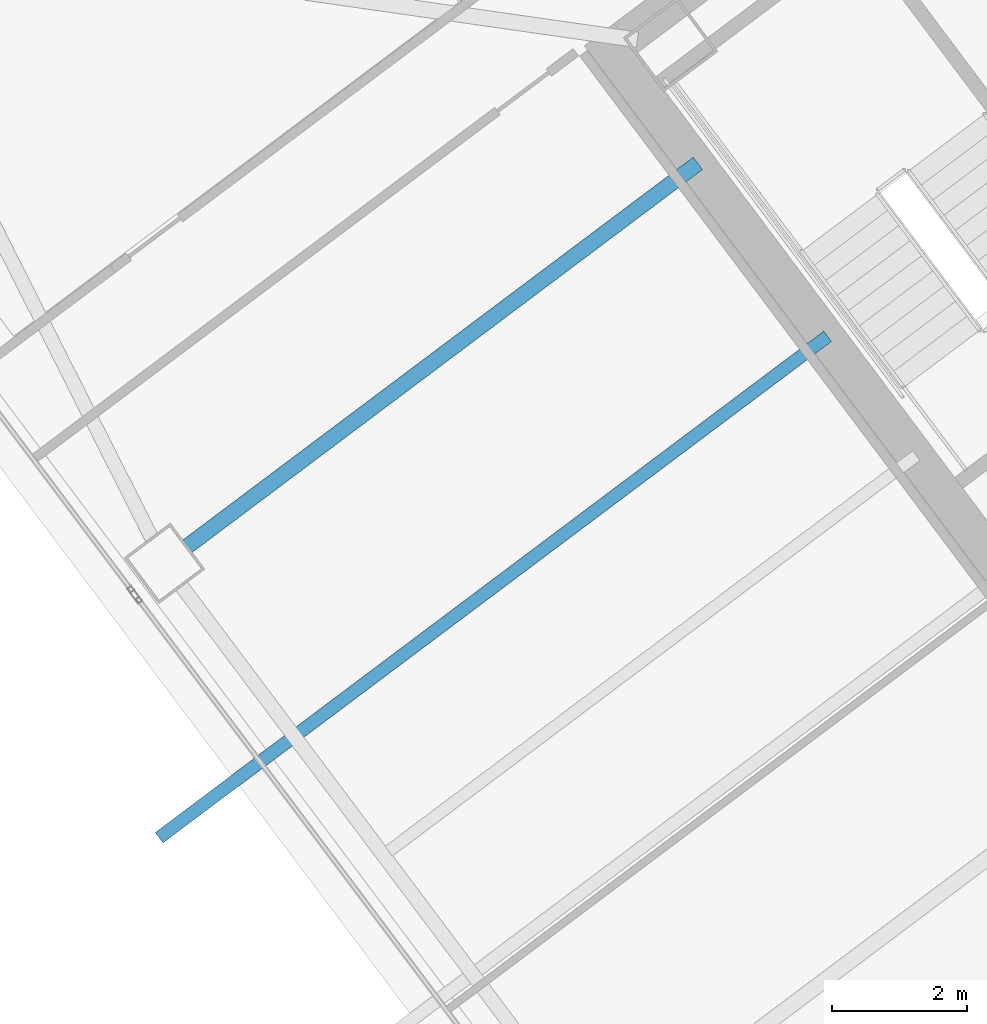
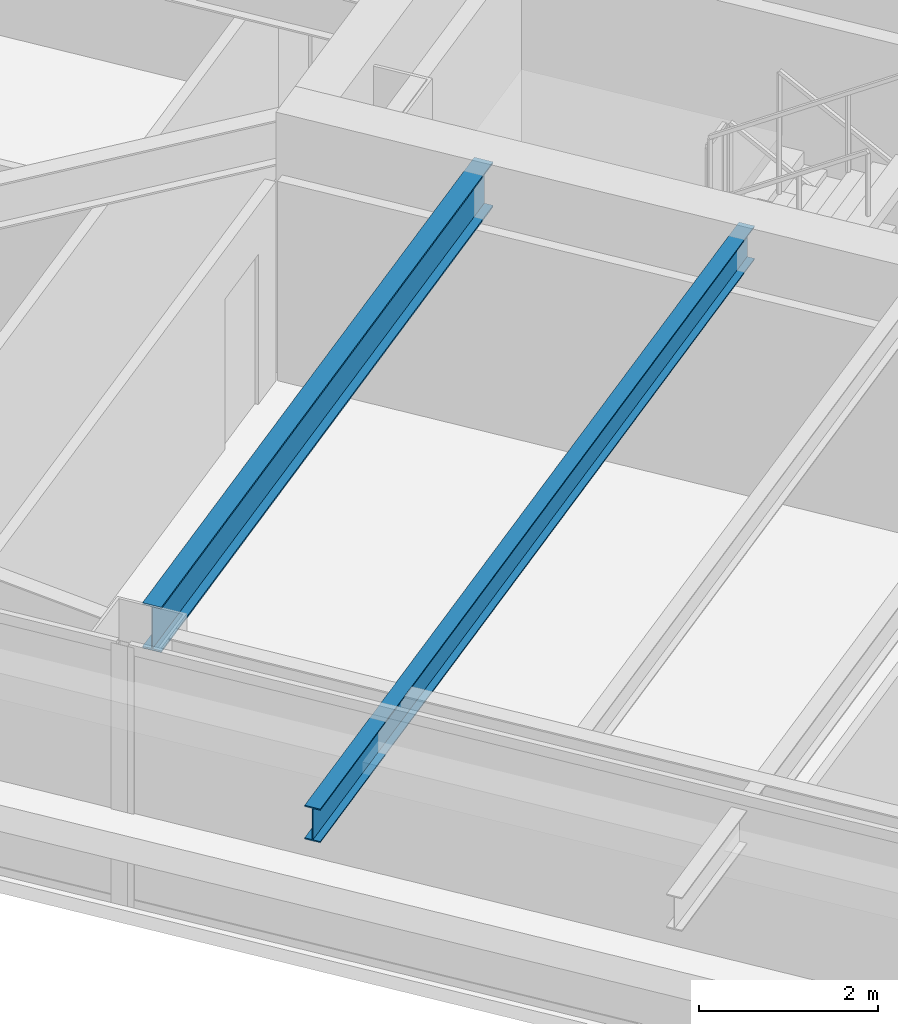
# One storey, part 24 of 46: 2 beams.
"""IFC4 building model written with IfcOpenShell, lengths in metres."""

from ifc_helpers import new_model, si_unit, direction, frame, origin, origin_2d, place, context, subcontext, project, spatial, i_section, extrude, material, material_profile, profile_set, type_object, element, save


model = new_model("IFC4")

# Units and contexts
model_context = context("Model", 3, precision=1e-05, world=origin(), true_north=direction((0.0, 1.0)))
body_context = subcontext(model_context, "Body", "Model", "MODEL_VIEW")
ifc_project = project(units=[si_unit("LENGTHUNIT", "METRE"), si_unit("AREAUNIT", "SQUARE_METRE"), si_unit("VOLUMEUNIT", "CUBIC_METRE"), si_unit("PLANEANGLEUNIT", "RADIAN"), si_unit("MASSUNIT", "GRAM", prefix="KILO")], contexts=[model_context])

# Site, building, storey
site_placement = place(None, origin())
site = spatial("IfcSite", under=ifc_project, at=site_placement, CompositionType="ELEMENT")
building_placement = place(site_placement, origin())
building = spatial("IfcBuilding", under=site, at=building_placement, Name="Tashvorn Skyway Center", CompositionType="ELEMENT")
storey_placement = place(building_placement, frame((0.0, 0.0, 139.25)))
storey = spatial("IfcBuildingStorey", under=building, at=storey_placement, Name="L37", CompositionType="ELEMENT", Elevation=139.25)

# Beams
ifc_material = material(Name="Steel ASTM A992 Grade 50", Category="steel")
ifc_material_profile_1 = material_profile(ifc_material, i_section(OverallWidth=0.22998046875, OverallDepth=0.616943359375, WebThickness=0.01318359375, FlangeThickness=0.022216796875, at=origin_2d()), Name="W24X94")
ifc_profile_set_1 = profile_set([ifc_material_profile_1], Name="Steel ASTM A992 Grade 50")
beam_type_1 = type_object("IfcBeamType", Name="BM-BEAM-W24X94", PredefinedType="BEAM", material=ifc_profile_set_1)
beam_1_placement = place(storey_placement, frame((96.97607421875, 25.98193359375, 3.0615234375), z_axis=(0.799984498661, 0.600020667896, 0.0), x_axis=(-0.600020667896, 0.799984498661, 0.0)))
element("IfcBeam", 1, at=beam_1_placement, inside=storey, type_object=beam_type_1, Name="Tower 2 L37 Primary Floor Girder FC-W1", PredefinedType="BEAM", context=body_context, shape_type="SweptSolid", body=[
    extrude(i_section(OverallWidth=0.22998046875, OverallDepth=0.616943359375, WebThickness=0.01318359375, FlangeThickness=0.022216796875, at=origin_2d()), origin(), (0.0, 0.0, 1.0), 9.449951171875),
])
ifc_material_profile_2 = material_profile(ifc_material, i_section(OverallWidth=0.19091796875, OverallDepth=0.4599609375, WebThickness=0.010009765625, FlangeThickness=0.01611328125, at=origin_2d()), Name="W18X55")
ifc_profile_set_2 = profile_set([ifc_material_profile_2], Name="Steel ASTM A992 Grade 50")
beam_type_2 = type_object("IfcBeamType", Name="BM-JOIST-W18X55", PredefinedType="JOIST", material=ifc_profile_set_2)
beam_2_placement = place(storey_placement, frame((106.4560546875, 29.092041015625, 3.139892578125), z_axis=(-0.799995263239, -0.60000631563, 0.0), x_axis=(0.60000631563, -0.799995263239, 0.0)))
element("IfcBeam", 2, at=beam_2_placement, inside=storey, type_object=beam_type_2, Name="Tower 2 L38 Terrace Cantilever Outlooker 2", PredefinedType="JOIST", context=body_context, shape_type="SweptSolid", body=[
    extrude(i_section(OverallWidth=0.19091796875, OverallDepth=0.4599609375, WebThickness=0.010009765625, FlangeThickness=0.01611328125, at=origin_2d()), origin(), (0.0, 0.0, 1.0), 12.3701171875),
])

save(model, "model.ifc")
